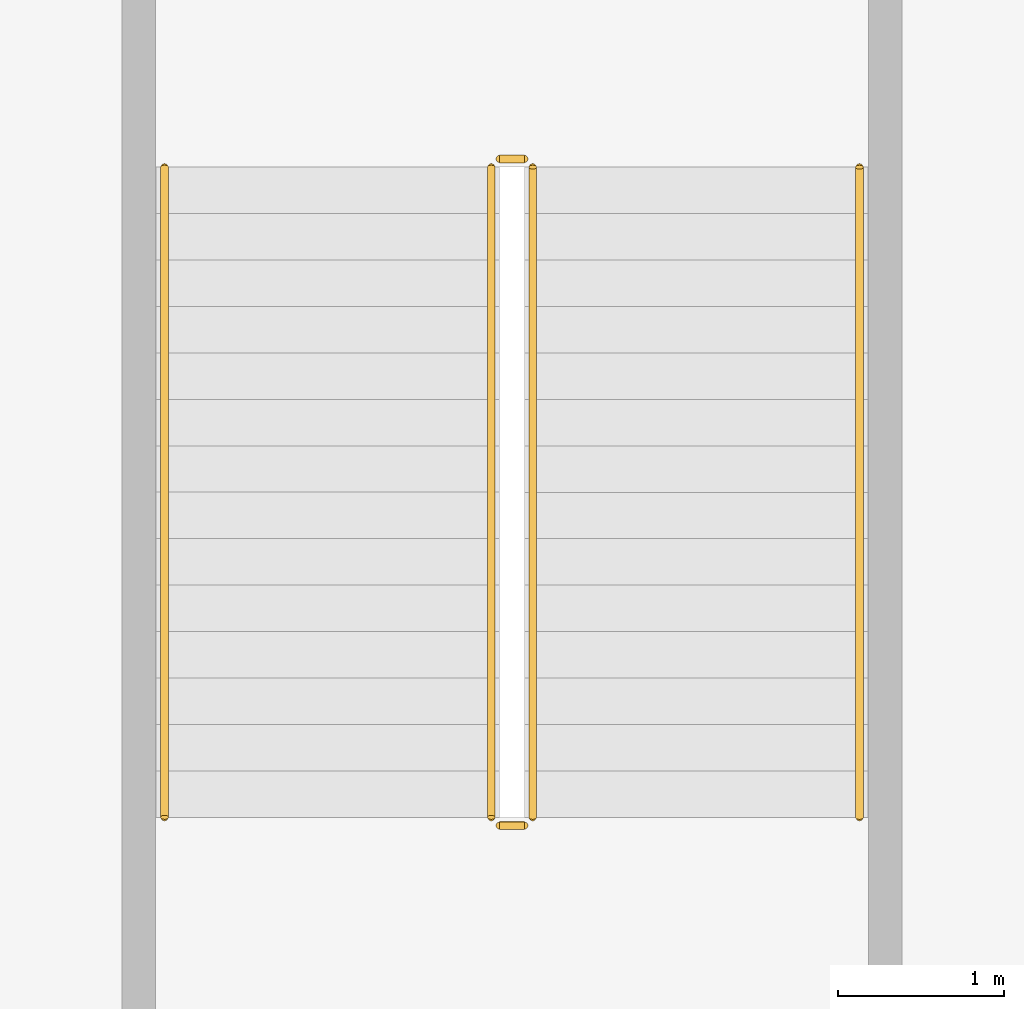
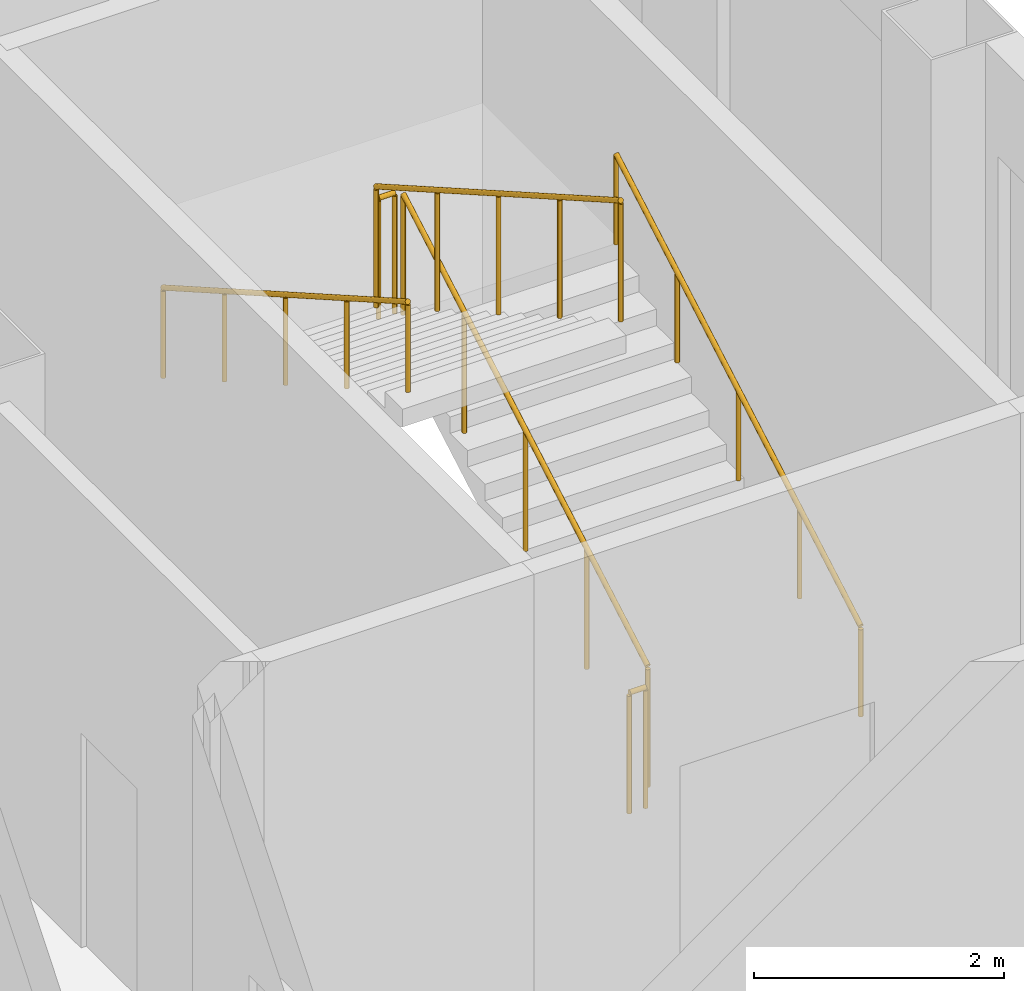
# One storey, part 23 of 23: 6 railings.
"""IFC4 building model written with IfcOpenShell, lengths in metres."""

from ifc_helpers import new_model, si_unit, direction, frame, origin, origin_2d, place, context, subcontext, project, spatial, circle, extrude, material, type_object, element, save


model = new_model("IFC4")

# Units and contexts
model_context = context("Model", 3, precision=1e-05, world=origin(), true_north=direction((0.0, 1.0)))
body_context = subcontext(model_context, "Body", "Model", "MODEL_VIEW")
ifc_project = project(units=[si_unit("LENGTHUNIT", "METRE"), si_unit("AREAUNIT", "SQUARE_METRE"), si_unit("VOLUMEUNIT", "CUBIC_METRE"), si_unit("PLANEANGLEUNIT", "RADIAN"), si_unit("MASSUNIT", "GRAM", prefix="KILO")], contexts=[model_context])

# Site, building, storey
site_placement = place(None, origin())
site = spatial("IfcSite", under=ifc_project, at=site_placement, CompositionType="ELEMENT")
building_placement = place(site_placement, origin())
building = spatial("IfcBuilding", under=site, at=building_placement, Name="Caravel Reach Hotel and Residences", CompositionType="ELEMENT")
storey_placement = place(building_placement, frame((0.0, 0.0, 24.0)))
storey = spatial("IfcBuildingStorey", under=building, at=storey_placement, Name="L04", CompositionType="ELEMENT", Elevation=24.0)

# Railings
ifc_material_1 = material(Name="Steel balustrade with glass infill", Category="steel")
railing_type_1 = type_object("IfcRailingType", Name="Guard 1200", PredefinedType="GUARDRAIL", material=ifc_material_1)
railing_1_placement = place(storey_placement, frame((63.375, 42.68994140625, 0.159912109375)))
element("IfcRailing", 1, at=railing_1_placement, inside=storey, type_object=railing_type_1, Name="L04 ST-P6 stair guard 1", PredefinedType="GUARDRAIL", context=body_context, shape_type="SweptSolid", body=[
    extrude(circle(Radius=0.02392578125, at=origin_2d()), frame((0.0, 0.0, 1.17578125), z_axis=(0.0, 0.86825312469, 0.496121468458), x_axis=(-1.0, 0.0, 0.0)), (0.0, 0.0, 1.0), 4.514892578125),
    extrude(circle(Radius=0.02099609375, at=origin_2d()), origin(), (0.0, 0.0, 1.0), 1.15185546875),
    extrude(circle(Radius=0.02099609375, at=origin_2d()), frame((0.0, 0.97998046875, 0.56005859375)), (0.0, 0.0, 1.0), 1.15185546875),
    extrude(circle(Radius=0.02099609375, at=origin_2d()), frame((0.0, 1.9599609375, 1.1201171875)), (0.0, 0.0, 1.0), 1.15185546875),
    extrude(circle(Radius=0.02099609375, at=origin_2d()), frame((0.0, 2.940185546875, 1.679931640625)), (0.0, 0.0, 1.0), 1.15185546875),
    extrude(circle(Radius=0.02099609375, at=origin_2d()), frame((0.0, 3.920166015625, 2.239990234375)), (0.0, 0.0, 1.0), 1.15185546875),
])
railing_2_placement = place(storey_placement, frame((63.324951171875, 46.659912109375, 2.39990234375)))
element("IfcRailing", 2, at=railing_2_placement, inside=storey, type_object=railing_type_1, Name="L04 ST-P6 stair guard 2", PredefinedType="GUARDRAIL", context=body_context, shape_type="SweptSolid", body=[
    extrude(circle(Radius=0.02392578125, at=origin_2d()), frame((0.0, 0.0, 1.17578125), z_axis=(-1.0, 0.0, 0.0), x_axis=(0.0, -1.0, 0.0)), (0.0, 0.0, 1.0), 0.14990234375),
    extrude(circle(Radius=0.02099609375, at=origin_2d()), origin(), (0.0, 0.0, 1.0), 1.15185546875),
    extrude(circle(Radius=0.02099609375, at=origin_2d()), frame((-0.14990234375, 0.0, 0.0)), (0.0, 0.0, 1.0), 1.15185546875),
])
railing_3_placement = place(storey_placement, frame((63.125, 46.610107421875, 2.56005859375)))
element("IfcRailing", 3, at=railing_3_placement, inside=storey, type_object=railing_type_1, Name="L04 ST-P6 stair guard 3", PredefinedType="GUARDRAIL", context=body_context, shape_type="SweptSolid", body=[
    extrude(circle(Radius=0.02392578125, at=origin_2d()), frame((0.0, 0.0, 1.17578125), z_axis=(0.0, -0.86825312469, 0.496121468458), x_axis=(1.0, 0.0, 0.0)), (0.0, 0.0, 1.0), 4.514892578125),
    extrude(circle(Radius=0.02099609375, at=origin_2d()), origin(), (0.0, 0.0, 1.0), 1.15185546875),
    extrude(circle(Radius=0.02099609375, at=origin_2d()), frame((0.0, -0.97998046875, 0.56005859375)), (0.0, 0.0, 1.0), 1.15185546875),
    extrude(circle(Radius=0.02099609375, at=origin_2d()), frame((0.0, -1.9599609375, 1.1201171875)), (0.0, 0.0, 1.0), 1.15185546875),
    extrude(circle(Radius=0.02099609375, at=origin_2d()), frame((0.0, -2.940185546875, 1.679931640625)), (0.0, 0.0, 1.0), 1.15185546875),
    extrude(circle(Radius=0.02099609375, at=origin_2d()), frame((0.0, -3.920166015625, 2.239990234375)), (0.0, 0.0, 1.0), 1.15185546875),
])
railing_4_placement = place(storey_placement, frame((63.324951171875, 42.639892578125, 0.0)))
element("IfcRailing", 4, at=railing_4_placement, inside=storey, type_object=railing_type_1, Name="L04 ST-P6 stair guard 4", PredefinedType="GUARDRAIL", context=body_context, shape_type="SweptSolid", body=[
    extrude(circle(Radius=0.02392578125, at=origin_2d()), frame((0.0, 0.0, 1.17578125), z_axis=(-1.0, 0.0, 0.0), x_axis=(0.0, -1.0, 0.0)), (0.0, 0.0, 1.0), 0.14990234375),
    extrude(circle(Radius=0.02099609375, at=origin_2d()), origin(), (0.0, 0.0, 1.0), 1.15185546875),
    extrude(circle(Radius=0.02099609375, at=origin_2d()), frame((-0.14990234375, 0.0, 0.0)), (0.0, 0.0, 1.0), 1.15185546875),
])
ifc_material_2 = material(Name="Stainless steel handrail", Category="steel")
railing_type_2 = type_object("IfcRailingType", Name="Handrail 900", PredefinedType="HANDRAIL", material=ifc_material_2)
railing_5_placement = place(storey_placement, frame((65.344970703125, 42.68994140625, 0.159912109375)))
element("IfcRailing", 5, at=railing_5_placement, inside=storey, type_object=railing_type_2, Name="L04 ST-P6 stair handrail 1", PredefinedType="HANDRAIL", context=body_context, shape_type="SweptSolid", body=[
    extrude(circle(Radius=0.02392578125, at=origin_2d()), frame((0.0, 0.0, 0.8759765625), z_axis=(0.0, 0.86825312469, 0.496121468458), x_axis=(-1.0, 0.0, 0.0)), (0.0, 0.0, 1.0), 4.514892578125),
    extrude(circle(Radius=0.02099609375, at=origin_2d()), origin(), (0.0, 0.0, 1.0), 0.851806640625),
    extrude(circle(Radius=0.02099609375, at=origin_2d()), frame((0.0, 0.97998046875, 0.56005859375)), (0.0, 0.0, 1.0), 0.851806640625),
    extrude(circle(Radius=0.02099609375, at=origin_2d()), frame((0.0, 1.9599609375, 1.1201171875)), (0.0, 0.0, 1.0), 0.851806640625),
    extrude(circle(Radius=0.02099609375, at=origin_2d()), frame((0.0, 2.940185546875, 1.679931640625)), (0.0, 0.0, 1.0), 0.851806640625),
    extrude(circle(Radius=0.02099609375, at=origin_2d()), frame((0.0, 3.920166015625, 2.239990234375)), (0.0, 0.0, 1.0), 0.851806640625),
])
railing_6_placement = place(storey_placement, frame((61.155029296875, 46.610107421875, 2.56005859375)))
element("IfcRailing", 6, at=railing_6_placement, inside=storey, type_object=railing_type_2, Name="L04 ST-P6 stair handrail 2", PredefinedType="HANDRAIL", context=body_context, shape_type="SweptSolid", body=[
    extrude(circle(Radius=0.02392578125, at=origin_2d()), frame((0.0, 0.0, 0.8759765625), z_axis=(0.0, -0.86825312469, 0.496121468458), x_axis=(1.0, 0.0, 0.0)), (0.0, 0.0, 1.0), 4.514892578125),
    extrude(circle(Radius=0.02099609375, at=origin_2d()), origin(), (0.0, 0.0, 1.0), 0.851806640625),
    extrude(circle(Radius=0.02099609375, at=origin_2d()), frame((0.0, -0.97998046875, 0.56005859375)), (0.0, 0.0, 1.0), 0.851806640625),
    extrude(circle(Radius=0.02099609375, at=origin_2d()), frame((0.0, -1.9599609375, 1.1201171875)), (0.0, 0.0, 1.0), 0.851806640625),
    extrude(circle(Radius=0.02099609375, at=origin_2d()), frame((0.0, -2.940185546875, 1.679931640625)), (0.0, 0.0, 1.0), 0.851806640625),
    extrude(circle(Radius=0.02099609375, at=origin_2d()), frame((0.0, -3.920166015625, 2.239990234375)), (0.0, 0.0, 1.0), 0.851806640625),
])

save(model, "model.ifc")
